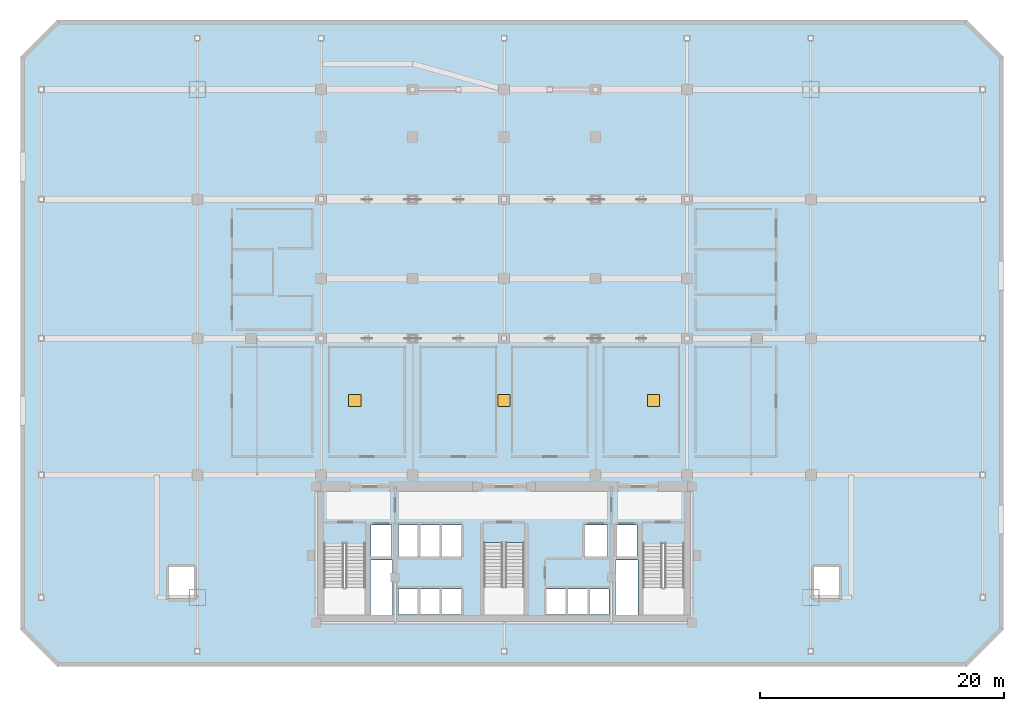
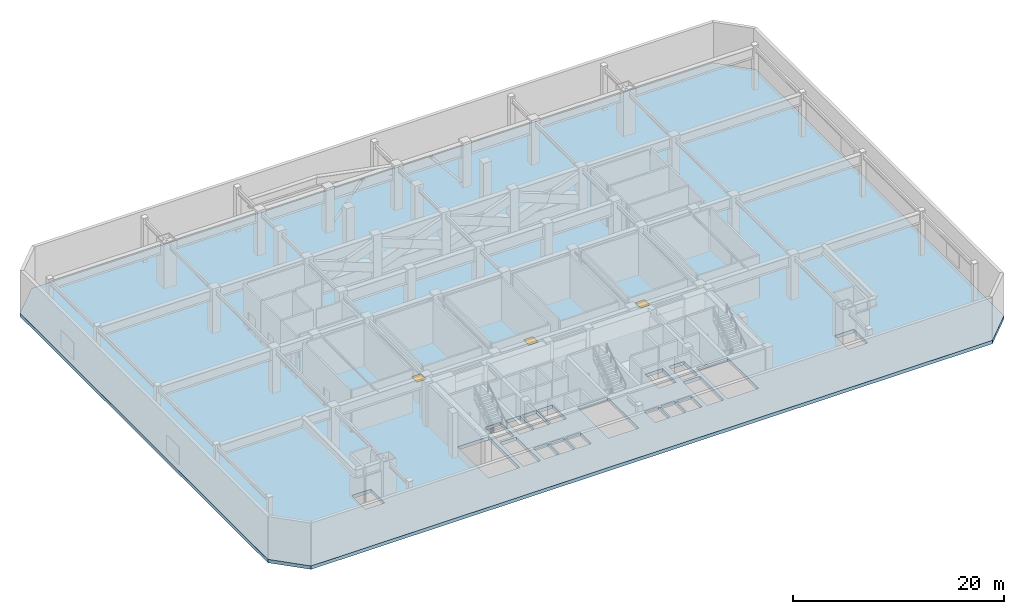
# One storey, part 6 of 14: 3 doors, 1 slab, 3 openings.
"""IFC4 building model written with IfcOpenShell, lengths in metres."""

import ifcopenshell
import ifcopenshell.guid

model = None  # the IFC model being written
_history = None  # IfcOwnerHistory: only IFC2X3 demands one
_inside = {}  # id of a spatial element -> (the spatial element, [elements in it])
_under = {}  # id of a project, library or spatial element -> (it, [spatial elements below it])
_declared = {}  # id of a project -> (the project, [libraries it declares])
_typed = {}  # id of a type object -> (the type object, [elements of that type])
_made_of = {}  # id of a material, layer set ... -> (it, [elements and type objects made of it])


def new_model(schema):
    """Start an empty IFC model of exactly this schema.

    Asked for "IFC4X3", IfcOpenShell would pick the latest addendum, in which some entities
    have other attributes; the version numbers below select the first issue.
    IFC2X3 requires an IfcOwnerHistory on every rooted entity: one is made here for all.
    """
    global model, _history
    if schema == "IFC4X3":
        model = ifcopenshell.file(schema_version=(4, 3, 0, 0))
    else:
        model = ifcopenshell.file(schema=schema)
    _inside.clear()
    _under.clear()
    _declared.clear()
    _typed.clear()
    _made_of.clear()
    _history = None
    if model.schema == "IFC2X3":
        org = make("IfcOrganization", Name="unknown")
        user = make(
            "IfcPersonAndOrganization",
            ThePerson=make("IfcPerson", FamilyName="unknown"),
            TheOrganization=org,
        )
        app = make(
            "IfcApplication",
            ApplicationDeveloper=org,
            Version="unknown",
            ApplicationFullName="unknown",
            ApplicationIdentifier="unknown",
        )
        _history = make(
            "IfcOwnerHistory",
            OwningUser=user,
            OwningApplication=app,
            ChangeAction="ADDED",
            CreationDate=0,
        )
    return model


def make(cls, **values):
    """One entity of the class cls with the attributes given. An attribute that is None is left unset."""
    return model.create_entity(
        cls, **{name: value for name, value in values.items() if value is not None}
    )


def rooted(cls, **values):
    """An entity with a GlobalId (a new one), such as an element, a storey or a relation."""
    return make(cls, GlobalId=ifcopenshell.guid.new(), OwnerHistory=_history, **values)


def si_unit(unit_type, name, prefix=None):
    """IfcSIUnit, for example si_unit("LENGTHUNIT", "METRE", prefix="MILLI")."""
    return make("IfcSIUnit", UnitType=unit_type, Prefix=prefix, Name=name)


def assignment(units):
    """IfcUnitAssignment: the units of a project."""
    return None if units is None else make("IfcUnitAssignment", Units=units)


def point(xyz):
    """IfcCartesianPoint."""
    return None if xyz is None else make("IfcCartesianPoint", Coordinates=xyz)


def direction(xyz):
    """IfcDirection."""
    return None if xyz is None else make("IfcDirection", DirectionRatios=xyz)


def frame(location, z_axis=None, x_axis=None):
    """IfcAxis2Placement3D, a coordinate frame: its origin and axes. An axis left out is left unset."""
    return make(
        "IfcAxis2Placement3D",
        Location=point(location),
        Axis=direction(z_axis),
        RefDirection=direction(x_axis),
    )


def frame_2d(location, x_axis=None):
    """IfcAxis2Placement2D, a coordinate frame in the plane: its origin and x axis."""
    return make(
        "IfcAxis2Placement2D", Location=point(location), RefDirection=direction(x_axis)
    )


def origin():
    """The frame at (0, 0, 0) with its axes left unset."""
    return frame((0.0, 0.0, 0.0))


def origin_2d():
    """The frame at (0, 0) in the plane with its x axis left unset."""
    return frame_2d((0.0, 0.0))


def place(relative_to, where):
    """IfcLocalPlacement: puts the frame where relative to a parent placement (None: the world)."""
    return make(
        "IfcLocalPlacement", PlacementRelTo=relative_to, RelativePlacement=where
    )


def context(
    kind, dimensions, precision=None, world=None, true_north=None, identifier=None
):
    """IfcGeometricRepresentationContext, for example the 3D "Model" context."""
    return make(
        "IfcGeometricRepresentationContext",
        ContextIdentifier=identifier,
        ContextType=kind,
        CoordinateSpaceDimension=dimensions,
        Precision=precision,
        WorldCoordinateSystem=world,
        TrueNorth=true_north,
    )


def subcontext(parent, identifier, kind, view, scale=None):
    """IfcGeometricRepresentationSubContext, for example "Body" below "Model"."""
    return make(
        "IfcGeometricRepresentationSubContext",
        ContextIdentifier=identifier,
        ContextType=kind,
        ParentContext=parent,
        TargetScale=scale,
        TargetView=view,
    )


def project(units=None, contexts=None):
    """IfcProject with its units and contexts."""
    return rooted(
        "IfcProject",
        Name="project",
        RepresentationContexts=contexts,
        UnitsInContext=assignment(units),
    )


def spatial(cls, under=None, at=None, **own):
    """A site, building, storey or space (cls), placed at a placement, below another one or the project."""
    s = rooted(cls, ObjectPlacement=at, **own)
    if under is not None:
        _under.setdefault(under.id(), (under, []))[1].append(s)
    return s


def polyline(points):
    """IfcPolyline through the points."""
    return make("IfcPolyline", Points=[point(p) for p in points])


def profile(cls, at=None, kind="AREA", **sizes):
    """A parametric profile (cls). Its sizes go by their IFC names, for example OverallWidth=200.0."""
    return make(cls, ProfileType=kind, Position=at, **sizes)


def rectangle(**sizes):
    """IfcRectangleProfileDef."""
    return profile("IfcRectangleProfileDef", **sizes)


def outline(outer, holes=None, kind="AREA"):
    """IfcArbitraryClosedProfileDef: a profile drawn as a closed curve; with holes, ...WithVoids."""
    if holes is None:
        return make("IfcArbitraryClosedProfileDef", ProfileType=kind, OuterCurve=outer)
    return make(
        "IfcArbitraryProfileDefWithVoids",
        ProfileType=kind,
        OuterCurve=outer,
        InnerCurves=holes,
    )


def extrude(swept, where, along, depth):
    """IfcExtrudedAreaSolid: the profile swept, set in the frame where, extruded along a direction by depth."""
    return make(
        "IfcExtrudedAreaSolid",
        SweptArea=swept,
        Position=where,
        ExtrudedDirection=direction(along),
        Depth=depth,
    )


def shape(context_of_items, identifier, shape_type, items):
    """IfcShapeRepresentation: the items that make up one representation, for example the "Body"."""
    return make(
        "IfcShapeRepresentation",
        ContextOfItems=context_of_items,
        RepresentationIdentifier=identifier,
        RepresentationType=shape_type,
        Items=items,
    )


def material(Name=None, Category=None):
    """IfcMaterial."""
    return make("IfcMaterial", Name=Name, Category=Category)


def layer(
    of_material, thickness, ventilated=None, Name=None, Category=None, Priority=None
):
    """IfcMaterialLayer: one layer of a wall or slab, of a material (None: an air gap)."""
    return make(
        "IfcMaterialLayer",
        Material=of_material,
        LayerThickness=thickness,
        IsVentilated=ventilated,
        Name=Name,
        Category=Category,
        Priority=Priority,
    )


def layer_set(layers, Name=None):
    """IfcMaterialLayerSet."""
    return make("IfcMaterialLayerSet", MaterialLayers=layers, LayerSetName=Name)


def made_of(thing, what):
    """Note that an element or type object is made of a material, layer set ...; save() writes the relation."""
    if what is not None:
        _made_of.setdefault(what.id(), (what, []))[1].append(thing)
    return thing


def type_object(cls, material=None, **own):
    """A type object (cls), such as IfcWallType, which elements share."""
    return made_of(rooted(cls, **own), material)


def element(
    cls,
    number,
    at=None,
    inside=None,
    cuts=None,
    type_object=None,
    material=None,
    context=None,
    identifier="Body",
    shape_type=None,
    held_by="IfcProductDefinitionShape",
    body=None,
    shapes=None,
    **own,
):
    """One element of the class cls, such as IfcWall. Its Tag is "e" and its number.

    at: its placement. inside: the storey or other place that contains it. cuts: it is an
    opening in that element (IfcRelVoidsElement). A single representation is given by context,
    identifier, shape_type and body (its items); several are given by shapes. held_by: the class
    of the entity that holds the representations. save() writes the other relations.
    """
    e = rooted(cls, Tag="e%d" % number, ObjectPlacement=at, **own)
    if body is not None:
        shapes = [shape(context, identifier, shape_type, body)]
    if shapes is not None:
        e.Representation = make(held_by, Representations=shapes)
    if inside is not None:
        _inside.setdefault(inside.id(), (inside, []))[1].append(e)
    if cuts is not None:
        rooted(
            "IfcRelVoidsElement", RelatingBuildingElement=cuts, RelatedOpeningElement=e
        )
    if type_object is not None:
        _typed.setdefault(type_object.id(), (type_object, []))[1].append(e)
    return made_of(e, material)


def fill(opening, filler):
    """IfcRelFillsElement: the door or window that sits in an opening."""
    return rooted(
        "IfcRelFillsElement",
        RelatingOpeningElement=opening,
        RelatedBuildingElement=filler,
    )


def aggregate(whole, parts):
    """IfcRelAggregates: a whole, such as a stair, and the parts it consists of."""
    return rooted("IfcRelAggregates", RelatingObject=whole, RelatedObjects=parts)


def save(model, path):
    """Write the relations noted so far, then the file.

    IfcRelAggregates (storeys below a building ...), IfcRelContainedInSpatialStructure (elements
    in a storey), IfcRelDefinesByType, IfcRelAssociatesMaterial and IfcRelDeclares: one each for
    every whole, place, type object, material and project.
    """
    for whole, parts in _under.values():
        aggregate(whole, parts)
    for where, things in _inside.values():
        rooted(
            "IfcRelContainedInSpatialStructure",
            RelatedElements=things,
            RelatingStructure=where,
        )
    for kind, things in _typed.values():
        rooted("IfcRelDefinesByType", RelatedObjects=things, RelatingType=kind)
    for what, things in _made_of.values():
        rooted("IfcRelAssociatesMaterial", RelatedObjects=things, RelatingMaterial=what)
    for by, libraries in _declared.values():
        rooted("IfcRelDeclares", RelatingContext=by, RelatedDefinitions=libraries)
    model.write(path)


model = new_model("IFC4")

# Units and contexts
model_context = context("Model", 3, precision=1e-05, world=origin(), true_north=direction((0.0, 1.0)))
body_context = subcontext(model_context, "Body", "Model", "MODEL_VIEW")
ifc_project = project(units=[si_unit("LENGTHUNIT", "METRE"), si_unit("AREAUNIT", "SQUARE_METRE"), si_unit("VOLUMEUNIT", "CUBIC_METRE"), si_unit("PLANEANGLEUNIT", "RADIAN"), si_unit("MASSUNIT", "GRAM", prefix="KILO")], contexts=[model_context])

# Site, building, storey
site_placement = place(None, origin())
site = spatial("IfcSite", under=ifc_project, at=site_placement, CompositionType="ELEMENT")
building_placement = place(site_placement, origin())
building = spatial("IfcBuilding", under=site, at=building_placement, Name="Ventersveld Concourse Tower", CompositionType="ELEMENT")
storey_placement = place(building_placement, frame((0.0, 0.0, 24.60009765625)))
storey = spatial("IfcBuildingStorey", under=building, at=storey_placement, Name="L05", CompositionType="ELEMENT", Elevation=24.60009765625)

# Slab, openings, doors
ifc_material_1 = material(Name="Concrete C50/60", Category="concrete")
ifc_layer = layer(ifc_material_1, 0.39990234375)
ifc_layer_set = layer_set([ifc_layer], Name="Concrete C50/60")
slab_type = type_object("IfcSlabType", Name="SL-XFER-400", PredefinedType="FLOOR", material=ifc_layer_set)
slab_placement = place(storey_placement, frame((0.0, 0.0, -0.400146484375)))
slab = element("IfcSlab", 1, at=slab_placement, inside=storey, type_object=slab_type, Name="L05 Composite Floor Slab", PredefinedType="FLOOR", context=body_context, shape_type="SweptSolid", body=[
    extrude(outline(polyline([(-7.89990234375, -3.300048828125), (66.699951171875, -3.300048828125), (69.699951171875, -0.300048828125), (69.699951171875, 46.699951171875), (66.699951171875, 49.699951171875), (-7.89990234375, 49.699951171875), (-10.89990234375, 46.699951171875), (-10.89990234375, -0.300048828125), (-7.89990234375, -3.300048828125)]), holes=[polyline([(13.97998046875, 6.794921875), (13.97998046875, 0.89990234375), (17.3798828125, 0.89990234375), (17.3798828125, 6.794921875), (13.97998046875, 6.794921875)]), polyline([(40.1201171875, 6.794921875), (40.1201171875, 0.89990234375), (43.52001953125, 0.89990234375), (43.52001953125, 6.794921875), (40.1201171875, 6.794921875)]), polyline([(27.10009765625, 6.844970703125), (27.10009765625, 0.89990234375), (30.39990234375, 0.89990234375), (30.39990234375, 6.844970703125), (27.10009765625, 6.844970703125)]), polyline([(17.85009765625, 5.699951171875), (19.530029296875, 5.699951171875), (19.530029296875, 8.300048828125), (17.85009765625, 8.300048828125), (17.85009765625, 5.699951171875)]), polyline([(37.969970703125, 5.699951171875), (39.64990234375, 5.699951171875), (39.64990234375, 8.300048828125), (37.969970703125, 8.300048828125), (37.969970703125, 5.699951171875)]), polyline([(35.35009765625, 5.699951171875), (37.25, 5.699951171875), (37.25, 8.300048828125), (35.35009765625, 8.300048828125), (35.35009765625, 5.699951171875)]), polyline([(20.090087890625, 0.949951171875), (21.68994140625, 0.949951171875), (21.68994140625, 3.050048828125), (20.090087890625, 3.050048828125), (20.090087890625, 0.949951171875)]), polyline([(21.8701171875, 0.949951171875), (23.469970703125, 0.949951171875), (23.469970703125, 3.050048828125), (21.8701171875, 3.050048828125), (21.8701171875, 0.949951171875)]), polyline([(23.64990234375, 0.949951171875), (25.25, 0.949951171875), (25.25, 3.050048828125), (23.64990234375, 3.050048828125), (23.64990234375, 0.949951171875)]), polyline([(32.2099609375, 0.949951171875), (33.81005859375, 0.949951171875), (33.81005859375, 3.050048828125), (32.2099609375, 3.050048828125), (32.2099609375, 0.949951171875)]), polyline([(33.989990234375, 0.949951171875), (35.590087890625, 0.949951171875), (35.590087890625, 3.050048828125), (33.989990234375, 3.050048828125), (33.989990234375, 0.949951171875)]), polyline([(35.77001953125, 0.949951171875), (37.3701171875, 0.949951171875), (37.3701171875, 3.050048828125), (35.77001953125, 3.050048828125), (35.77001953125, 0.949951171875)]), polyline([(20.090087890625, 5.699951171875), (21.68994140625, 5.699951171875), (21.68994140625, 8.300048828125), (20.090087890625, 8.300048828125), (20.090087890625, 5.699951171875)]), polyline([(21.8701171875, 5.699951171875), (23.469970703125, 5.699951171875), (23.469970703125, 8.300048828125), (21.8701171875, 8.300048828125), (21.8701171875, 5.699951171875)]), polyline([(23.64990234375, 5.699951171875), (25.25, 5.699951171875), (25.25, 8.300048828125), (23.64990234375, 8.300048828125), (23.64990234375, 5.699951171875)]), polyline([(1.25, 2.25), (3.35009765625, 2.25), (3.35009765625, 4.85009765625), (1.25, 4.85009765625), (1.25, 2.25)]), polyline([(54.14990234375, 2.25), (56.25, 2.25), (56.25, 4.85009765625), (54.14990234375, 4.85009765625), (54.14990234375, 2.25)]), polyline([(17.780029296875, 0.919921875), (19.6201171875, 0.919921875), (19.6201171875, 5.419921875), (17.780029296875, 5.419921875), (17.780029296875, 0.919921875)]), polyline([(37.8798828125, 0.919921875), (39.719970703125, 0.919921875), (39.719970703125, 5.419921875), (37.8798828125, 5.419921875), (37.8798828125, 0.919921875)])]), origin(), (0.0, 0.0, 1.0), 0.400146484375),
])
opening_1_placement = place(slab_placement, frame((16.5, 18.5, -0.010009765625)))
opening_1 = element("IfcOpeningElement", 2, at=opening_1_placement, cuts=slab, Name="Opening RH1", PredefinedType="OPENING", context=body_context, shape_type="SweptSolid", body=[
    extrude(rectangle(XDim=1.0, YDim=1.0, at=origin_2d()), origin(), (0.0, 0.0, 1.0), 0.420166015625),
])
opening_2_placement = place(slab_placement, frame((28.75, 18.5, -0.010009765625)))
opening_2 = element("IfcOpeningElement", 3, at=opening_2_placement, cuts=slab, Name="Opening RH1", PredefinedType="OPENING", context=body_context, shape_type="SweptSolid", body=[
    extrude(rectangle(XDim=1.0, YDim=1.0, at=origin_2d()), origin(), (0.0, 0.0, 1.0), 0.420166015625),
])
opening_3_placement = place(slab_placement, frame((41.0, 18.5, -0.010009765625)))
opening_3 = element("IfcOpeningElement", 4, at=opening_3_placement, cuts=slab, Name="Opening RH1", PredefinedType="OPENING", context=body_context, shape_type="SweptSolid", body=[
    extrude(rectangle(XDim=1.0, YDim=1.0, at=origin_2d()), origin(), (0.0, 0.0, 1.0), 0.420166015625),
])
ifc_material_2 = material(Name="Galvanised painted steel", Category="steel")
door_type = type_object("IfcDoorType", Name="HT-ROOF-100", OperationType="SINGLE_SWING_LEFT", PredefinedType="TRAPDOOR", material=ifc_material_2)
door_1_placement = place(slab_placement, frame((16.5, 18.5, 0.35009765625)))
door_1 = element("IfcDoor", 5, at=door_1_placement, inside=storey, type_object=door_type, Name="L05 Roof Maintenance Access Hatch RH-01", OperationType="SINGLE_SWING_LEFT", OverallHeight=1.0, OverallWidth=1.0, PredefinedType="TRAPDOOR", context=body_context, shape_type="SweptSolid", body=[
    extrude(rectangle(XDim=1.0, YDim=1.0, at=origin_2d()), origin(), (0.0, 0.0, 1.0), 0.050048828125),
])
fill(opening_1, door_1)
door_2_placement = place(slab_placement, frame((28.75, 18.5, 0.35009765625)))
door_2 = element("IfcDoor", 6, at=door_2_placement, inside=storey, type_object=door_type, Name="L05 Roof Maintenance Access Hatch RH-02", OperationType="SINGLE_SWING_LEFT", OverallHeight=1.0, OverallWidth=1.0, PredefinedType="TRAPDOOR", context=body_context, shape_type="SweptSolid", body=[
    extrude(rectangle(XDim=1.0, YDim=1.0, at=origin_2d()), origin(), (0.0, 0.0, 1.0), 0.050048828125),
])
fill(opening_2, door_2)
door_3_placement = place(slab_placement, frame((41.0, 18.5, 0.35009765625)))
door_3 = element("IfcDoor", 7, at=door_3_placement, inside=storey, type_object=door_type, Name="L05 Roof Maintenance Access Hatch RH-03", OperationType="SINGLE_SWING_LEFT", OverallHeight=1.0, OverallWidth=1.0, PredefinedType="TRAPDOOR", context=body_context, shape_type="SweptSolid", body=[
    extrude(rectangle(XDim=1.0, YDim=1.0, at=origin_2d()), origin(), (0.0, 0.0, 1.0), 0.050048828125),
])
fill(opening_3, door_3)

save(model, "model.ifc")
